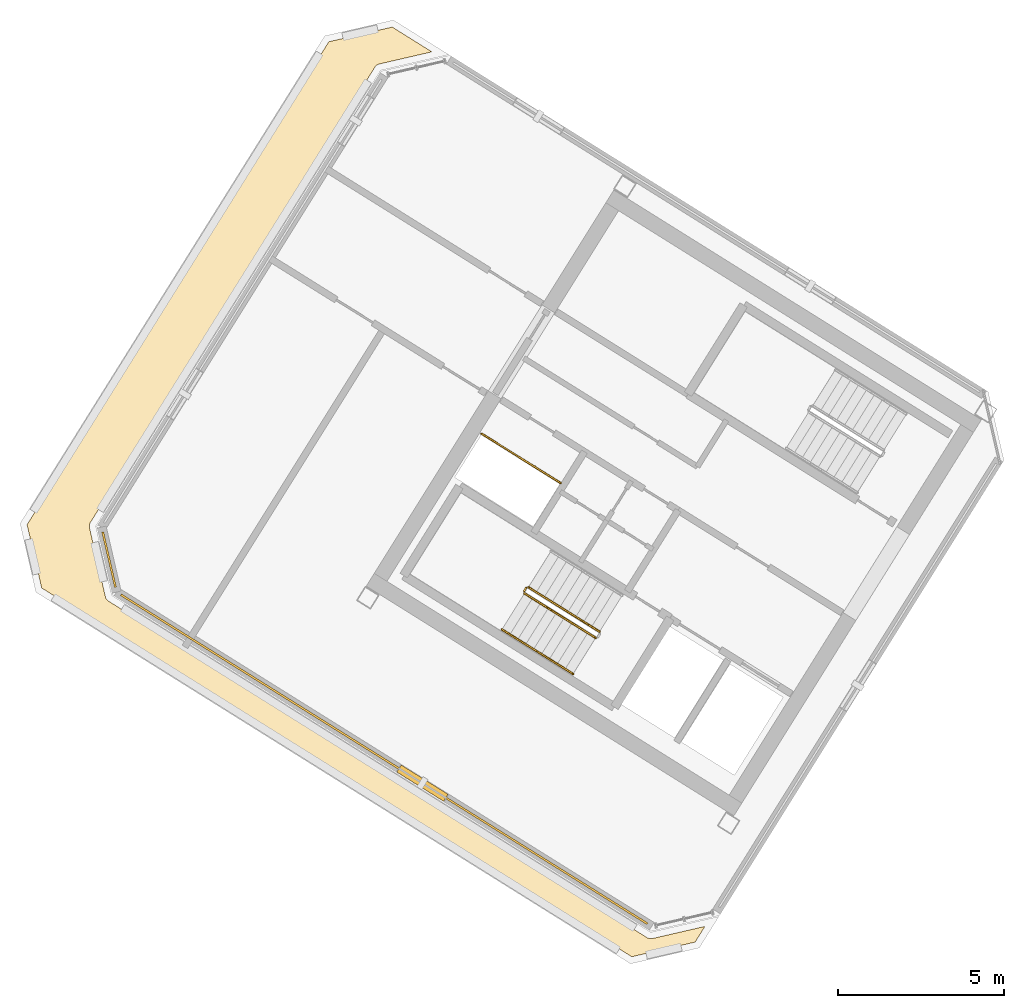
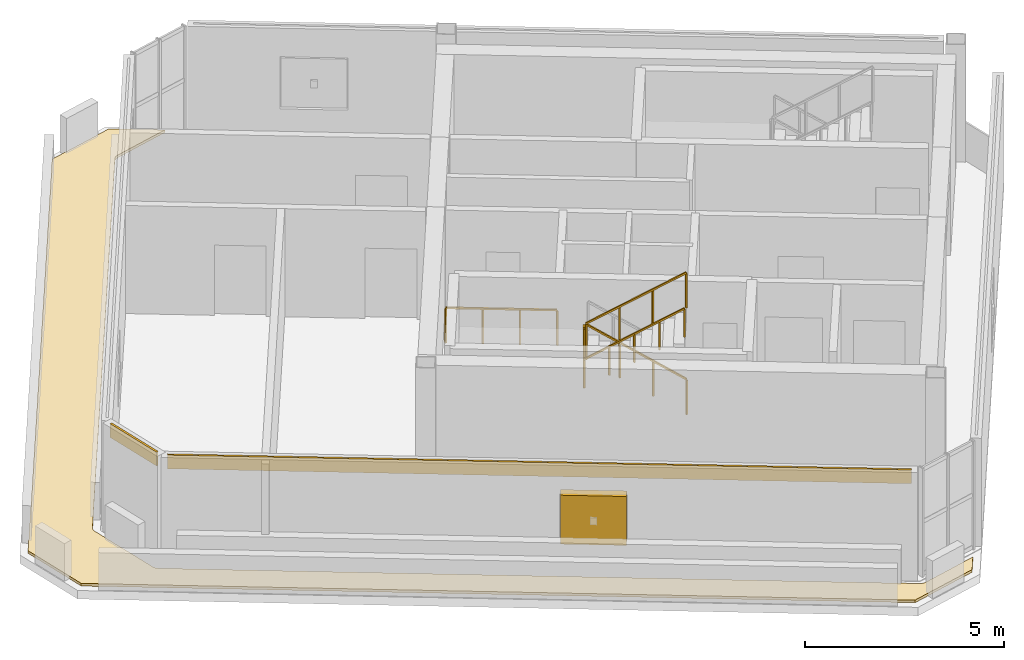
# One storey, part 7 of 9: 6 railings, 3 coverings, 1 shading device.
"""IFC4 building model written with IfcOpenShell, lengths in metres."""

import ifcopenshell
import ifcopenshell.guid

model = None  # the IFC model being written
_history = None  # IfcOwnerHistory: only IFC2X3 demands one
_inside = {}  # id of a spatial element -> (the spatial element, [elements in it])
_under = {}  # id of a project, library or spatial element -> (it, [spatial elements below it])
_declared = {}  # id of a project -> (the project, [libraries it declares])
_typed = {}  # id of a type object -> (the type object, [elements of that type])
_made_of = {}  # id of a material, layer set ... -> (it, [elements and type objects made of it])


def new_model(schema):
    """Start an empty IFC model of exactly this schema.

    Asked for "IFC4X3", IfcOpenShell would pick the latest addendum, in which some entities
    have other attributes; the version numbers below select the first issue.
    IFC2X3 requires an IfcOwnerHistory on every rooted entity: one is made here for all.
    """
    global model, _history
    if schema == "IFC4X3":
        model = ifcopenshell.file(schema_version=(4, 3, 0, 0))
    else:
        model = ifcopenshell.file(schema=schema)
    _inside.clear()
    _under.clear()
    _declared.clear()
    _typed.clear()
    _made_of.clear()
    _history = None
    if model.schema == "IFC2X3":
        org = make("IfcOrganization", Name="unknown")
        user = make(
            "IfcPersonAndOrganization",
            ThePerson=make("IfcPerson", FamilyName="unknown"),
            TheOrganization=org,
        )
        app = make(
            "IfcApplication",
            ApplicationDeveloper=org,
            Version="unknown",
            ApplicationFullName="unknown",
            ApplicationIdentifier="unknown",
        )
        _history = make(
            "IfcOwnerHistory",
            OwningUser=user,
            OwningApplication=app,
            ChangeAction="ADDED",
            CreationDate=0,
        )
    return model


def make(cls, **values):
    """One entity of the class cls with the attributes given. An attribute that is None is left unset."""
    return model.create_entity(
        cls, **{name: value for name, value in values.items() if value is not None}
    )


def rooted(cls, **values):
    """An entity with a GlobalId (a new one), such as an element, a storey or a relation."""
    return make(cls, GlobalId=ifcopenshell.guid.new(), OwnerHistory=_history, **values)


def si_unit(unit_type, name, prefix=None):
    """IfcSIUnit, for example si_unit("LENGTHUNIT", "METRE", prefix="MILLI")."""
    return make("IfcSIUnit", UnitType=unit_type, Prefix=prefix, Name=name)


def assignment(units):
    """IfcUnitAssignment: the units of a project."""
    return None if units is None else make("IfcUnitAssignment", Units=units)


def point(xyz):
    """IfcCartesianPoint."""
    return None if xyz is None else make("IfcCartesianPoint", Coordinates=xyz)


def direction(xyz):
    """IfcDirection."""
    return None if xyz is None else make("IfcDirection", DirectionRatios=xyz)


def frame(location, z_axis=None, x_axis=None):
    """IfcAxis2Placement3D, a coordinate frame: its origin and axes. An axis left out is left unset."""
    return make(
        "IfcAxis2Placement3D",
        Location=point(location),
        Axis=direction(z_axis),
        RefDirection=direction(x_axis),
    )


def frame_2d(location, x_axis=None):
    """IfcAxis2Placement2D, a coordinate frame in the plane: its origin and x axis."""
    return make(
        "IfcAxis2Placement2D", Location=point(location), RefDirection=direction(x_axis)
    )


def origin():
    """The frame at (0, 0, 0) with its axes left unset."""
    return frame((0.0, 0.0, 0.0))


def origin_2d():
    """The frame at (0, 0) in the plane with its x axis left unset."""
    return frame_2d((0.0, 0.0))


def place(relative_to, where):
    """IfcLocalPlacement: puts the frame where relative to a parent placement (None: the world)."""
    return make(
        "IfcLocalPlacement", PlacementRelTo=relative_to, RelativePlacement=where
    )


def context(
    kind, dimensions, precision=None, world=None, true_north=None, identifier=None
):
    """IfcGeometricRepresentationContext, for example the 3D "Model" context."""
    return make(
        "IfcGeometricRepresentationContext",
        ContextIdentifier=identifier,
        ContextType=kind,
        CoordinateSpaceDimension=dimensions,
        Precision=precision,
        WorldCoordinateSystem=world,
        TrueNorth=true_north,
    )


def subcontext(parent, identifier, kind, view, scale=None):
    """IfcGeometricRepresentationSubContext, for example "Body" below "Model"."""
    return make(
        "IfcGeometricRepresentationSubContext",
        ContextIdentifier=identifier,
        ContextType=kind,
        ParentContext=parent,
        TargetScale=scale,
        TargetView=view,
    )


def project(units=None, contexts=None):
    """IfcProject with its units and contexts."""
    return rooted(
        "IfcProject",
        Name="project",
        RepresentationContexts=contexts,
        UnitsInContext=assignment(units),
    )


def spatial(cls, under=None, at=None, **own):
    """A site, building, storey or space (cls), placed at a placement, below another one or the project."""
    s = rooted(cls, ObjectPlacement=at, **own)
    if under is not None:
        _under.setdefault(under.id(), (under, []))[1].append(s)
    return s


def polyline(points):
    """IfcPolyline through the points."""
    return make("IfcPolyline", Points=[point(p) for p in points])


def profile(cls, at=None, kind="AREA", **sizes):
    """A parametric profile (cls). Its sizes go by their IFC names, for example OverallWidth=200.0."""
    return make(cls, ProfileType=kind, Position=at, **sizes)


def rectangle(**sizes):
    """IfcRectangleProfileDef."""
    return profile("IfcRectangleProfileDef", **sizes)


def outline(outer, holes=None, kind="AREA"):
    """IfcArbitraryClosedProfileDef: a profile drawn as a closed curve; with holes, ...WithVoids."""
    if holes is None:
        return make("IfcArbitraryClosedProfileDef", ProfileType=kind, OuterCurve=outer)
    return make(
        "IfcArbitraryProfileDefWithVoids",
        ProfileType=kind,
        OuterCurve=outer,
        InnerCurves=holes,
    )


def extrude(swept, where, along, depth):
    """IfcExtrudedAreaSolid: the profile swept, set in the frame where, extruded along a direction by depth."""
    return make(
        "IfcExtrudedAreaSolid",
        SweptArea=swept,
        Position=where,
        ExtrudedDirection=direction(along),
        Depth=depth,
    )


def shape(context_of_items, identifier, shape_type, items):
    """IfcShapeRepresentation: the items that make up one representation, for example the "Body"."""
    return make(
        "IfcShapeRepresentation",
        ContextOfItems=context_of_items,
        RepresentationIdentifier=identifier,
        RepresentationType=shape_type,
        Items=items,
    )


def source(mapping_origin, context_of_items, identifier, shape_type, items):
    """IfcRepresentationMap: a shape defined once, which mapped items show again and again."""
    return make(
        "IfcRepresentationMap",
        MappingOrigin=mapping_origin,
        MappedRepresentation=shape(context_of_items, identifier, shape_type, items),
    )


def transform(
    local_origin,
    x_axis=None,
    y_axis=None,
    z_axis=None,
    scale=None,
    scale2=None,
    scale3=None,
    uniform=True,
):
    """IfcCartesianTransformationOperator3D, or its non-uniform kind. x_axis, y_axis, z_axis: its Axis1, 2, 3."""
    if uniform:
        return make(
            "IfcCartesianTransformationOperator3D",
            Axis1=direction(x_axis),
            Axis2=direction(y_axis),
            LocalOrigin=point(local_origin),
            Scale=scale,
            Axis3=direction(z_axis),
        )
    return make(
        "IfcCartesianTransformationOperator3DnonUniform",
        Axis1=direction(x_axis),
        Axis2=direction(y_axis),
        LocalOrigin=point(local_origin),
        Scale=scale,
        Axis3=direction(z_axis),
        Scale2=scale2,
        Scale3=scale3,
    )


def mapped(mapping_source, mapping_target):
    """IfcMappedItem: shows the shape of a source again, moved by a transform."""
    return make(
        "IfcMappedItem", MappingSource=mapping_source, MappingTarget=mapping_target
    )


def material(Name=None, Category=None):
    """IfcMaterial."""
    return make("IfcMaterial", Name=Name, Category=Category)


def layer(
    of_material, thickness, ventilated=None, Name=None, Category=None, Priority=None
):
    """IfcMaterialLayer: one layer of a wall or slab, of a material (None: an air gap)."""
    return make(
        "IfcMaterialLayer",
        Material=of_material,
        LayerThickness=thickness,
        IsVentilated=ventilated,
        Name=Name,
        Category=Category,
        Priority=Priority,
    )


def layer_set(layers, Name=None):
    """IfcMaterialLayerSet."""
    return make("IfcMaterialLayerSet", MaterialLayers=layers, LayerSetName=Name)


def made_of(thing, what):
    """Note that an element or type object is made of a material, layer set ...; save() writes the relation."""
    if what is not None:
        _made_of.setdefault(what.id(), (what, []))[1].append(thing)
    return thing


def type_object(cls, material=None, **own):
    """A type object (cls), such as IfcWallType, which elements share."""
    return made_of(rooted(cls, **own), material)


def element(
    cls,
    number,
    at=None,
    inside=None,
    cuts=None,
    type_object=None,
    material=None,
    context=None,
    identifier="Body",
    shape_type=None,
    held_by="IfcProductDefinitionShape",
    body=None,
    shapes=None,
    **own,
):
    """One element of the class cls, such as IfcWall. Its Tag is "e" and its number.

    at: its placement. inside: the storey or other place that contains it. cuts: it is an
    opening in that element (IfcRelVoidsElement). A single representation is given by context,
    identifier, shape_type and body (its items); several are given by shapes. held_by: the class
    of the entity that holds the representations. save() writes the other relations.
    """
    e = rooted(cls, Tag="e%d" % number, ObjectPlacement=at, **own)
    if body is not None:
        shapes = [shape(context, identifier, shape_type, body)]
    if shapes is not None:
        e.Representation = make(held_by, Representations=shapes)
    if inside is not None:
        _inside.setdefault(inside.id(), (inside, []))[1].append(e)
    if cuts is not None:
        rooted(
            "IfcRelVoidsElement", RelatingBuildingElement=cuts, RelatedOpeningElement=e
        )
    if type_object is not None:
        _typed.setdefault(type_object.id(), (type_object, []))[1].append(e)
    return made_of(e, material)


def aggregate(whole, parts):
    """IfcRelAggregates: a whole, such as a stair, and the parts it consists of."""
    return rooted("IfcRelAggregates", RelatingObject=whole, RelatedObjects=parts)


def save(model, path):
    """Write the relations noted so far, then the file.

    IfcRelAggregates (storeys below a building ...), IfcRelContainedInSpatialStructure (elements
    in a storey), IfcRelDefinesByType, IfcRelAssociatesMaterial and IfcRelDeclares: one each for
    every whole, place, type object, material and project.
    """
    for whole, parts in _under.values():
        aggregate(whole, parts)
    for where, things in _inside.values():
        rooted(
            "IfcRelContainedInSpatialStructure",
            RelatedElements=things,
            RelatingStructure=where,
        )
    for kind, things in _typed.values():
        rooted("IfcRelDefinesByType", RelatedObjects=things, RelatingType=kind)
    for what, things in _made_of.values():
        rooted("IfcRelAssociatesMaterial", RelatedObjects=things, RelatingMaterial=what)
    for by, libraries in _declared.values():
        rooted("IfcRelDeclares", RelatingContext=by, RelatedDefinitions=libraries)
    model.write(path)


model = new_model("IFC4")

# Units and contexts
model_context = context("Model", 3, precision=1e-05, world=origin(), true_north=direction((0.0, 1.0)))
body_context = subcontext(model_context, "Body", "Model", "MODEL_VIEW")
ifc_project = project(units=[si_unit("LENGTHUNIT", "METRE"), si_unit("AREAUNIT", "SQUARE_METRE"), si_unit("VOLUMEUNIT", "CUBIC_METRE"), si_unit("PLANEANGLEUNIT", "RADIAN"), si_unit("MASSUNIT", "GRAM", prefix="KILO")], contexts=[model_context])

# Site, building, storey
site_placement = place(None, origin())
site = spatial("IfcSite", under=ifc_project, at=site_placement, CompositionType="ELEMENT")
building_placement = place(site_placement, origin())
building = spatial("IfcBuilding", under=site, at=building_placement, Name="Tlacorven Tower", CompositionType="ELEMENT")
storey_placement = place(building_placement, frame((0.0, 0.0, 306.0)))
storey = spatial("IfcBuildingStorey", under=building, at=storey_placement, Name="L78", CompositionType="ELEMENT", Elevation=306.0)

# Covering
ifc_material_1 = material(Name="EPDM waterproofing membrane and rigid insulation")
ifc_layer_1 = layer(ifc_material_1, 0.080078125)
ifc_layer_set_1 = layer_set([ifc_layer_1], Name="EPDM waterproofing membrane and rigid insulation")
covering_type_1 = type_object("IfcCoveringType", Name="CV-ROF-MEMB", PredefinedType="ROOFING", material=ifc_layer_set_1)
covering_1_placement = place(storey_placement, origin())
element("IfcCovering", 1, at=covering_1_placement, inside=storey, type_object=covering_type_1, Name="L78 Stepped Crown Waterproofing Membrane 1.1", PredefinedType="ROOFING", context=body_context, shape_type="SweptSolid", body=[
    extrude(outline(polyline([(32.037841796875, 8.5107421875), (30.13232421875, 8.07080078125), (12.37890625, 19.164306640625), (11.93896484375, 21.06982421875), (21.018798828125, 35.600341796875), (22.92431640625, 36.040283203125), (24.11669921875, 35.29541015625), (22.539794921875, 34.93115234375), (22.5302734375, 34.9287109375), (22.5283203125, 34.92822265625), (22.509765625, 34.921875), (22.508056640625, 34.921142578125), (22.489990234375, 34.9130859375), (22.48828125, 34.912353515625), (22.47119140625, 34.902587890625), (22.4697265625, 34.9013671875), (22.45361328125, 34.89013671875), (22.4521484375, 34.888916015625), (22.437255859375, 34.8759765625), (22.435791015625, 34.87451171875), (22.42236328125, 34.8603515625), (22.421142578125, 34.85888671875), (22.4091796875, 34.84326171875), (22.407958984375, 34.841552734375), (22.402587890625, 34.83349609375), (13.844482421875, 21.137451171875), (13.839599609375, 21.12890625), (13.838623046875, 21.127197265625), (13.829833984375, 21.109619140625), (13.8291015625, 21.10791015625), (13.822021484375, 21.089599609375), (13.821533203125, 21.087646484375), (13.81640625, 21.06884765625), (13.81591796875, 21.06689453125), (13.812744140625, 21.04736328125), (13.8125, 21.04541015625), (13.81103515625, 21.02587890625), (13.81103515625, 21.02392578125), (13.811767578125, 21.00439453125), (13.811767578125, 21.00244140625), (13.814453125, 20.98291015625), (13.814697265625, 20.98095703125), (13.816650390625, 20.971435546875), (14.2939453125, 18.904541015625), (14.29638671875, 18.89501953125), (14.296875, 18.89306640625), (14.30322265625, 18.87451171875), (14.303955078125, 18.87255859375), (14.31201171875, 18.854736328125), (14.312744140625, 18.85302734375), (14.322509765625, 18.8359375), (14.32373046875, 18.834228515625), (14.3349609375, 18.818359375), (14.336181640625, 18.81689453125), (14.34912109375, 18.802001953125), (14.3505859375, 18.800537109375), (14.36474609375, 18.787109375), (14.3662109375, 18.785888671875), (14.3818359375, 18.77392578125), (14.383544921875, 18.772705078125), (14.3916015625, 18.767333984375), (30.58935546875, 8.64599609375), (30.597900390625, 8.640869140625), (30.599609375, 8.639892578125), (30.6171875, 8.63134765625), (30.618896484375, 8.63037109375), (30.63720703125, 8.62353515625), (30.63916015625, 8.622802734375), (30.658203125, 8.61767578125), (30.659912109375, 8.617431640625), (30.679443359375, 8.614013671875), (30.681396484375, 8.61376953125), (30.700927734375, 8.612548828125), (30.702880859375, 8.612548828125), (30.722412109375, 8.613037109375), (30.724365234375, 8.61328125), (30.743896484375, 8.61572265625), (30.745849609375, 8.6162109375), (30.75537109375, 8.6181640625), (32.33251953125, 8.982177734375), (32.037841796875, 8.5107421875)])), origin(), (0.0, 0.0, 1.0), 0.080078125),
])

# Railing
ifc_material_2 = material(Name="Aluminium and painted steel balustrade", Category="steel")
railing_type_1 = type_object("IfcRailingType", Name="RL-GRD-1100", PredefinedType="GUARDRAIL", material=ifc_material_2)
shared_shape_1 = source(origin(), body_context, "Body", "SweptSolid", [
    extrude(rectangle(XDim=0.048095703125, YDim=0.048095703125, at=origin_2d()), frame((0.0, 0.0, 1.076171875), z_axis=(-0.848091358275, 0.529850024081, 0.0), x_axis=(-0.529850024081, -0.848091358275, 0.0)), (0.0, 0.0, 1.0), 2.800048828125),
    extrude(rectangle(XDim=0.0419921875, YDim=0.0419921875, at=origin_2d()), origin(), (0.0, 0.0, 1.0), 1.052001953125),
    extrude(rectangle(XDim=0.0419921875, YDim=0.0419921875, at=origin_2d()), frame((-0.79150390625, 0.49462890625, 0.0)), (0.0, 0.0, 1.0), 1.052001953125),
    extrude(rectangle(XDim=0.0419921875, YDim=0.0419921875, at=origin_2d()), frame((-1.583251953125, 0.989013671875, 0.0)), (0.0, 0.0, 1.0), 1.052001953125),
    extrude(rectangle(XDim=0.0419921875, YDim=0.0419921875, at=origin_2d()), frame((-2.374755859375, 1.483642578125, 0.0)), (0.0, 0.0, 1.0), 1.052001953125),
])
railing_1_placement = place(storey_placement, frame((27.9912109375, 22.32080078125, 0.0)))
element("IfcRailing", 2, at=railing_1_placement, inside=storey, type_object=railing_type_1, Name="L78 Electrical Riser W Shaft Guard 1", PredefinedType="GUARDRAIL", context=body_context, shape_type="MappedRepresentation", body=[
    mapped(shared_shape_1, transform((0.0, 0.0, 0.0), scale=1.0)),
])

# Shading device
ifc_material_3 = material(Name="Anodised bronze aluminium acoustic louvre", Category="aluminium")
shading_device_type = type_object("IfcShadingDeviceType", Name="SH-LVR-WND", PredefinedType="JALOUSIE", material=ifc_material_3)
shared_shape_2 = source(origin(), body_context, "Body", "SweptSolid", [
    extrude(rectangle(XDim=1.659912109375, YDim=0.25, at=origin_2d()), origin(), (0.0, 0.0, 1.0), 1.5),
])
shading_device_placement = place(storey_placement, frame((23.83349609375, 13.2919921875, 0.89990234375), z_axis=(0.0, 0.0, 1.0), x_axis=(-0.848048303182, 0.529918932922, 0.0)))
element("IfcShadingDevice", 3, at=shading_device_placement, inside=storey, type_object=shading_device_type, Name="L78 Storm-Resistant Acoustic Louvre Bank 2.1", PredefinedType="JALOUSIE", context=body_context, shape_type="MappedRepresentation", body=[
    mapped(shared_shape_2, transform((0.0, 0.0, 0.0), scale=1.0)),
])

# Coverings
ifc_material_4 = material(Name="Precast concrete C45/55", Category="concrete")
ifc_layer_2 = layer(ifc_material_4, 0.06005859375)
ifc_layer_set_2 = layer_set([ifc_layer_2], Name="Precast concrete C45/55")
covering_type_2 = type_object("IfcCoveringType", Name="CV-CLD-TERC", PredefinedType="CLADDING", material=ifc_layer_set_2)
shared_shape_3 = source(origin(), body_context, "Body", "SweptSolid", [
    extrude(rectangle(XDim=1.705322265625, YDim=0.06005859375, at=origin_2d()), origin(), (0.0, 0.0, 1.0), 0.419921875),
])
covering_2_placement = place(storey_placement, frame((14.406005859375, 20.018798828125, 2.900146484375), z_axis=(0.0, 0.0, 1.0), x_axis=(-0.224954183764, 0.974369342296, 0.0)))
element("IfcCovering", 4, at=covering_2_placement, inside=storey, type_object=covering_type_2, Name="L78 Masonry-Frame Spandrel Cladding 3", PredefinedType="CLADDING", context=body_context, shape_type="MappedRepresentation", body=[
    mapped(shared_shape_3, transform((0.0, 0.0, 0.0), scale=1.0)),
])
shared_shape_4 = source(origin(), body_context, "Body", "SweptSolid", [
    extrude(rectangle(XDim=18.68408203125, YDim=0.06005859375, at=origin_2d()), origin(), (0.0, 0.0, 1.0), 0.419921875),
])
covering_3_placement = place(storey_placement, frame((22.681396484375, 14.011962890625, 2.900146484375), z_axis=(0.0, 0.0, 1.0), x_axis=(-0.848048303182, 0.529918932922, 0.0)))
element("IfcCovering", 5, at=covering_3_placement, inside=storey, type_object=covering_type_2, Name="L78 Masonry-Frame Spandrel Cladding 2", PredefinedType="CLADDING", context=body_context, shape_type="MappedRepresentation", body=[
    mapped(shared_shape_4, transform((0.0, 0.0, 0.0), scale=1.0)),
])

# Railings
shared_shape_5 = source(origin(), body_context, "Body", "SweptSolid", [
    extrude(rectangle(XDim=0.048095703125, YDim=0.048095703125, at=origin_2d()), frame((0.0, 0.0, 1.076171875), z_axis=(-0.713319727316, 0.445773895627, 0.540796265334), x_axis=(-0.529955395941, -0.84802551749, 0.0)), (0.0, 0.0, 1.0), 2.995849609375),
    extrude(rectangle(XDim=0.0419921875, YDim=0.0419921875, at=origin_2d()), origin(), (0.0, 0.0, 1.0), 1.052001953125),
    extrude(rectangle(XDim=0.0419921875, YDim=0.0419921875, at=origin_2d()), frame((-0.71240234375, 0.445068359375, 0.5400390625)), (0.0, 0.0, 1.0), 1.052001953125),
    extrude(rectangle(XDim=0.0419921875, YDim=0.0419921875, at=origin_2d()), frame((-1.424560546875, 0.890380859375, 1.080078125)), (0.0, 0.0, 1.0), 1.052001953125),
    extrude(rectangle(XDim=0.0419921875, YDim=0.0419921875, at=origin_2d()), frame((-2.136962890625, 1.33544921875, 1.6201171875)), (0.0, 0.0, 1.0), 1.052001953125),
])
railing_2_placement = place(storey_placement, frame((29.16064453125, 17.851806640625, 0.179931640625)))
element("IfcRailing", 6, at=railing_2_placement, inside=storey, type_object=railing_type_1, Name="L78 ST-W1 stair guard 1", PredefinedType="GUARDRAIL", context=body_context, shape_type="MappedRepresentation", body=[
    mapped(shared_shape_5, transform((0.0, 0.0, 0.0), scale=1.0)),
])
shared_shape_6 = source(origin(), body_context, "Body", "SweptSolid", [
    extrude(rectangle(XDim=0.048095703125, YDim=0.048095703125, at=origin_2d()), frame((0.0, 0.0, 1.076171875), z_axis=(-0.530546985787, -0.847655529016, 0.0), x_axis=(0.847655529016, -0.530546985787, 0.0)), (0.0, 0.0, 1.0), 0.1201171875),
    extrude(rectangle(XDim=0.0419921875, YDim=0.0419921875, at=origin_2d()), origin(), (0.0, 0.0, 1.0), 1.052001953125),
    extrude(rectangle(XDim=0.0419921875, YDim=0.0419921875, at=origin_2d()), frame((-0.063720703125, -0.101806640625, 0.0)), (0.0, 0.0, 1.0), 1.052001953125),
])
railing_3_placement = place(storey_placement, frame((26.954833984375, 19.17138671875, 1.800048828125)))
element("IfcRailing", 7, at=railing_3_placement, inside=storey, type_object=railing_type_1, Name="L78 ST-W1 stair guard 2", PredefinedType="GUARDRAIL", context=body_context, shape_type="MappedRepresentation", body=[
    mapped(shared_shape_6, transform((0.0, 0.0, 0.0), scale=1.0)),
])
shared_shape_7 = source(origin(), body_context, "Body", "SweptSolid", [
    extrude(rectangle(XDim=0.048095703125, YDim=0.048095703125, at=origin_2d()), frame((0.0, 0.0, 1.076171875), z_axis=(0.713359751793, -0.4457479829, 0.540764828981), x_axis=(0.529911857636, 0.848052724267, 0.0)), (0.0, 0.0, 1.0), 2.99609375),
    extrude(rectangle(XDim=0.0419921875, YDim=0.0419921875, at=origin_2d()), origin(), (0.0, 0.0, 1.0), 1.052001953125),
    extrude(rectangle(XDim=0.0419921875, YDim=0.0419921875, at=origin_2d()), frame((0.71240234375, -0.445068359375, 0.5400390625)), (0.0, 0.0, 1.0), 1.052001953125),
    extrude(rectangle(XDim=0.0419921875, YDim=0.0419921875, at=origin_2d()), frame((1.4248046875, -0.890380859375, 1.080078125)), (0.0, 0.0, 1.0), 1.052001953125),
    extrude(rectangle(XDim=0.0419921875, YDim=0.0419921875, at=origin_2d()), frame((2.13720703125, -1.33544921875, 1.6201171875)), (0.0, 0.0, 1.0), 1.052001953125),
])
railing_4_placement = place(storey_placement, frame((26.906982421875, 19.000732421875, 1.97998046875)))
element("IfcRailing", 8, at=railing_4_placement, inside=storey, type_object=railing_type_1, Name="L78 ST-W1 stair guard 3", PredefinedType="GUARDRAIL", context=body_context, shape_type="MappedRepresentation", body=[
    mapped(shared_shape_7, transform((0.0, 0.0, 0.0), scale=1.0)),
])
railing_type_2 = type_object("IfcRailingType", Name="RL-HND-0900", PredefinedType="HANDRAIL", material=ifc_material_2)
shared_shape_8 = source(origin(), body_context, "Body", "SweptSolid", [
    extrude(rectangle(XDim=0.048095703125, YDim=0.048095703125, at=origin_2d()), frame((0.0, 0.0, 0.8759765625), z_axis=(0.713359751793, -0.4457479829, 0.540764828981), x_axis=(0.529911857636, 0.848052724267, 0.0)), (0.0, 0.0, 1.0), 1.498046875),
    extrude(rectangle(XDim=0.0419921875, YDim=0.0419921875, at=origin_2d()), origin(), (0.0, 0.0, 1.0), 0.851806640625),
    extrude(rectangle(XDim=0.0419921875, YDim=0.0419921875, at=origin_2d()), frame((0.5341796875, -0.333984375, 0.405029296875)), (0.0, 0.0, 1.0), 0.851806640625),
    extrude(rectangle(XDim=0.0419921875, YDim=0.0419921875, at=origin_2d()), frame((1.068603515625, -0.667724609375, 0.81005859375)), (0.0, 0.0, 1.0), 0.851806640625),
])
railing_5_placement = place(storey_placement, frame((26.228759765625, 17.915283203125, 1.97998046875)))
element("IfcRailing", 9, at=railing_5_placement, inside=storey, type_object=railing_type_2, Name="L78 ST-W1 stair handrail 3", PredefinedType="HANDRAIL", context=body_context, shape_type="MappedRepresentation", body=[
    mapped(shared_shape_8, transform((0.0, 0.0, 0.0), scale=1.0)),
])
shared_shape_9 = source(origin(), body_context, "Body", "SweptSolid", [
    extrude(rectangle(XDim=0.048095703125, YDim=0.048095703125, at=origin_2d()), frame((0.0, 0.0, 0.8759765625), z_axis=(0.713279695859, -0.445799809912, 0.540827703579), x_axis=(0.529998940003, 0.847998304005, 0.0)), (0.0, 0.0, 1.0), 1.497802734375),
    extrude(rectangle(XDim=0.0419921875, YDim=0.0419921875, at=origin_2d()), origin(), (0.0, 0.0, 1.0), 0.851806640625),
    extrude(rectangle(XDim=0.0419921875, YDim=0.0419921875, at=origin_2d()), frame((0.5341796875, -0.333984375, 0.405029296875)), (0.0, 0.0, 1.0), 0.851806640625),
    extrude(rectangle(XDim=0.0419921875, YDim=0.0419921875, at=origin_2d()), frame((1.068359375, -0.667724609375, 0.81005859375)), (0.0, 0.0, 1.0), 0.851806640625),
])
railing_6_placement = place(storey_placement, frame((27.29736328125, 17.24755859375, 2.7900390625)))
element("IfcRailing", 10, at=railing_6_placement, inside=storey, type_object=railing_type_2, Name="L78 ST-W1 stair handrail 4", PredefinedType="HANDRAIL", context=body_context, shape_type="MappedRepresentation", body=[
    mapped(shared_shape_9, transform((0.0, 0.0, 0.0), scale=1.0)),
])

save(model, "model.ifc")
